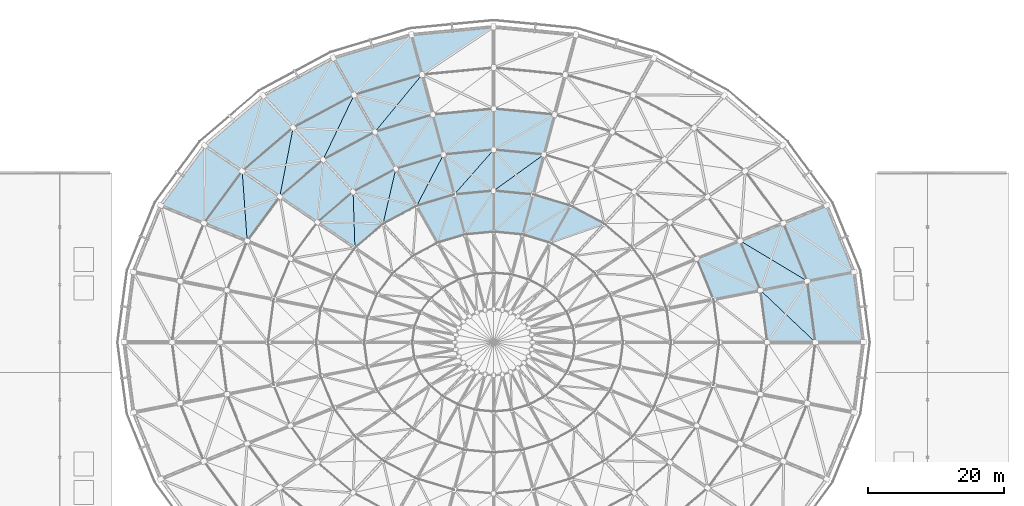
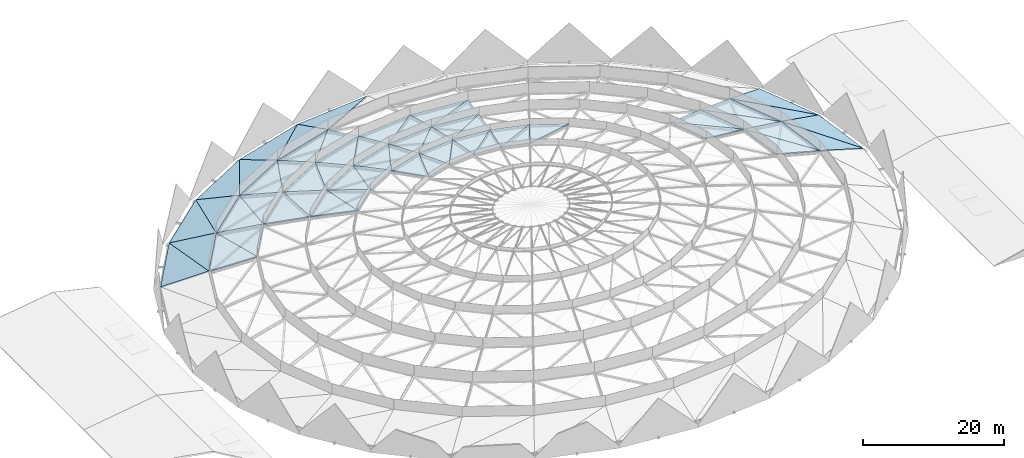
# One storey, part 22 of 27: 56 roofs.
"""IFC4 building model written with IfcOpenShell, lengths in metres."""

from ifc_helpers import new_model, si_unit, direction, frame, origin, place, context, subcontext, project, spatial, polyline, outline, extrude, material, layer, layer_set, type_object, element, save


model = new_model("IFC4")

# Units and contexts
model_context = context("Model", 3, precision=1e-05, world=origin(), true_north=direction((0.0, 1.0)))
body_context = subcontext(model_context, "Body", "Model", "MODEL_VIEW")
ifc_project = project(units=[si_unit("LENGTHUNIT", "METRE"), si_unit("AREAUNIT", "SQUARE_METRE"), si_unit("VOLUMEUNIT", "CUBIC_METRE"), si_unit("PLANEANGLEUNIT", "RADIAN"), si_unit("MASSUNIT", "GRAM", prefix="KILO")], contexts=[model_context])

# Site, building, storey
site_placement = place(None, origin())
site = spatial("IfcSite", under=ifc_project, at=site_placement, CompositionType="ELEMENT")
building_placement = place(site_placement, origin())
building = spatial("IfcBuilding", under=site, at=building_placement, Name="Cuetzalor Civic Arena", CompositionType="ELEMENT")
storey_placement = place(building_placement, frame((0.0, 0.0, 31.800048828125)))
storey = spatial("IfcBuildingStorey", under=building, at=storey_placement, Name="Roof", CompositionType="ELEMENT", Elevation=31.800048828125)

# Roofs
ifc_material = material(Name="Standing-seam acoustic zinc and steel deck", Category="steel")
ifc_layer = layer(ifc_material, 0.179931640625)
ifc_layer_set = layer_set([ifc_layer], Name="Standing-seam acoustic zinc and steel deck")
roof_type = type_object("IfcRoofType", Name="ArenaDomeRoof_StandingSeam", PredefinedType="DOME_ROOF", material=ifc_layer_set)
roof_1_placement = place(storey_placement, frame((54.550048828125, 0.0, 0.4150390625), z_axis=(0.285080765685, 0.037640766696, 0.957764130524), x_axis=(-0.13089937041, 0.99139566008, 0.0)))
element("IfcRoof", 1, at=roof_1_placement, inside=storey, type_object=roof_type, Name="Arena Space-Frame Dome Shell Panel R1-S01A", PredefinedType="DOME_ROOF", context=body_context, shape_type="SweptSolid", body=[
    extrude(outline(polyline([(0.0, 0.0), (10.448299155011798, 2.220446049250313e-16), (10.018221227679604, 7.340647676434287), (0.0, 0.0)])), origin(), (0.0, 0.0, -1.0), 0.179931640625),
])
roof_2_placement = place(storey_placement, frame((54.550048828125, 0.0, 0.4150390625), z_axis=(0.285083508888, 0.037643504072, 0.957763206415), x_axis=(-0.666801092619, 0.72559659004, 0.169958499065)))
element("IfcRoof", 2, at=roof_2_placement, inside=storey, type_object=roof_type, Name="Arena Space-Frame Dome Shell Panel R1-S01B", PredefinedType="DOME_ROOF", context=body_context, shape_type="SweptSolid", body=[
    extrude(outline(polyline([(0.0, 0.0), (12.419736908496503, 1.1102230246251565e-16), (5.087410283256249, 5.372524698891819), (0.0, 0.0)])), origin(), (0.0, 0.0, -1.0), 0.179931640625),
])
roof_3_placement = place(storey_placement, frame((53.182373046875, 10.3583984375, 0.4150390625), z_axis=(0.270382293765, 0.11087015892, 0.956347856734), x_axis=(-0.379392590278, 0.925235787485, 0.0)))
element("IfcRoof", 3, at=roof_3_placement, inside=storey, type_object=roof_type, Name="Arena Space-Frame Dome Shell Panel R1-S02A", PredefinedType="DOME_ROOF", context=body_context, shape_type="SweptSolid", body=[
    extrude(outline(polyline([(0.0, 0.0), (10.63390253661406, 0.0), (10.628573578058255, 7.223196970066199), (0.0, 0.0)])), origin(), (0.0, 0.0, -1.0), 0.179931640625),
])
roof_4_placement = place(storey_placement, frame((53.182373046875, 10.3583984375, 0.4150390625), z_axis=(0.270383939537, 0.110872761722, 0.956347089685), x_axis=(-0.811147041502, 0.561301745858, 0.164258415796)))
element("IfcRoof", 4, at=roof_4_placement, inside=storey, type_object=roof_type, Name="Arena Space-Frame Dome Shell Panel R1-S02B", PredefinedType="DOME_ROOF", context=body_context, shape_type="SweptSolid", body=[
    extrude(outline(polyline([(0.0, 0.0), (12.85072569050369, 9.992007221626409e-16), (5.198952856713812, 5.200092742133137), (0.0, 0.0)])), origin(), (0.0, 0.0, -1.0), 0.179931640625),
])
roof_5_placement = place(storey_placement, frame((0.0, 46.550048828125, 0.4150390625), z_axis=(-0.031655229707, 0.329191877394, 0.94373230012), x_axis=(-0.995408405496, -0.095718891906, 0.0)))
element("IfcRoof", 5, at=roof_5_placement, inside=storey, type_object=roof_type, Name="Arena Space-Frame Dome Shell Panel R1-S08A", PredefinedType="DOME_ROOF", context=body_context, shape_type="SweptSolid", body=[
    extrude(outline(polyline([(0.0, 0.0), (12.194419564224404, -2.220446049250313e-16), (11.188492439758683, 6.382744737674283), (0.0, 0.0)])), origin(), (0.0, 0.0, -1.0), 0.179931640625),
])
roof_6_placement = place(storey_placement, frame((-12.138427734375, 45.3828125, 0.4150390625), z_axis=(-0.093492784167, 0.313125573921, 0.945098658482), x_axis=(-0.95820017042, -0.286098642791, 0.0)))
element("IfcRoof", 6, at=roof_6_placement, inside=storey, type_object=roof_type, Name="Arena Space-Frame Dome Shell Panel R1-S09A", PredefinedType="DOME_ROOF", context=body_context, shape_type="SweptSolid", body=[
    extrude(outline(polyline([(0.0, 0.0), (12.033006936139385, -4.440892098500626e-16), (10.644638831073085, 6.459412026563838), (0.0, 0.0)])), origin(), (0.0, 0.0, -1.0), 0.179931640625),
])
roof_7_placement = place(storey_placement, frame((-12.138427734375, 45.3828125, 0.4150390625), z_axis=(-0.093505868159, 0.313136816778, 0.945093639063), x_axis=(-0.678900518938, -0.714390639643, 0.16952905172)))
element("IfcRoof", 7, at=roof_7_placement, inside=storey, type_object=roof_type, Name="Arena Space-Frame Dome Shell Panel R1-S09B", PredefinedType="DOME_ROOF", context=body_context, shape_type="SweptSolid", body=[
    extrude(outline(polyline([(0.0, 0.0), (12.451198318752557, -3.3306690738754696e-16), (3.501285140193802, 5.430683394666152), (0.0, 0.0)])), origin(), (0.0, 0.0, -1.0), 0.179931640625),
])
roof_8_placement = place(storey_placement, frame((-23.66845703125, 41.940185546875, 0.4150390625), z_axis=(-0.15100952992, 0.281630513077, 0.947565499571), x_axis=(-0.881302704338, -0.472552159371, 0.0)))
element("IfcRoof", 8, at=roof_8_placement, inside=storey, type_object=roof_type, Name="Arena Space-Frame Dome Shell Panel R1-S10A", PredefinedType="DOME_ROOF", context=body_context, shape_type="SweptSolid", body=[
    extrude(outline(polyline([(0.0, 0.0), (11.736055644911866, -8.881784197001252e-16), (10.07499974114683, 6.605423689352449), (0.0, 0.0)])), origin(), (0.0, 0.0, -1.0), 0.179931640625),
])
roof_9_placement = place(storey_placement, frame((-23.66845703125, 41.940185546875, 0.4150390625), z_axis=(-0.151002945209, 0.281627140551, 0.947567551282), x_axis=(-0.491511849507, -0.853063053722, 0.175212808231)))
element("IfcRoof", 9, at=roof_9_placement, inside=storey, type_object=roof_type, Name="Arena Space-Frame Dome Shell Panel R1-S10B", PredefinedType="DOME_ROOF", context=body_context, shape_type="SweptSolid", body=[
    extrude(outline(polyline([(0.0, 0.0), (12.04729189071001, -1.1102230246251565e-16), (3.5087459178262206, 5.59823827719228), (0.0, 0.0)])), origin(), (0.0, 0.0, -1.0), 0.179931640625),
])
roof_10_placement = place(storey_placement, frame((-34.011474609375, 36.394287109375, 0.4150390625), z_axis=(-0.201361554576, 0.235963381118, 0.950670714343), x_axis=(-0.760676878001, -0.649130716632, 0.0)))
element("IfcRoof", 10, at=roof_10_placement, inside=storey, type_object=roof_type, Name="Arena Space-Frame Dome Shell Panel R1-S11A", PredefinedType="DOME_ROOF", context=body_context, shape_type="SweptSolid", body=[
    extrude(outline(polyline([(0.0, 0.0), (11.35495428042528, 0.0), (9.586569074232107, 6.804729847043853), (0.0, 0.0)])), origin(), (0.0, 0.0, -1.0), 0.179931640625),
])
roof_11_placement = place(storey_placement, frame((-34.011474609375, 36.394287109375, 0.4150390625), z_axis=(-0.201357748461, 0.235962517994, 0.950671734742), x_axis=(-0.263098220305, -0.947913668467, 0.179552230859)))
element("IfcRoof", 11, at=roof_11_placement, inside=storey, type_object=roof_type, Name="Arena Space-Frame Dome Shell Panel R1-S11B", PredefinedType="DOME_ROOF", context=body_context, shape_type="SweptSolid", body=[
    extrude(outline(polyline([(0.0, 0.0), (11.756132650930446, 4.440892098500626e-16), (3.7004530520720937, 5.718161946001663), (0.0, 0.0)])), origin(), (0.0, 0.0, -1.0), 0.179931640625),
])
roof_12_placement = place(storey_placement, frame((-42.64892578125, 29.0234375, 0.4150390625), z_axis=(-0.241905873144, 0.17812387539, 0.953809956729), x_axis=(-0.59293459696, -0.805250621687, 0.0)))
element("IfcRoof", 12, at=roof_12_placement, inside=storey, type_object=roof_type, Name="Arena Space-Frame Dome Shell Panel R1-S12A", PredefinedType="DOME_ROOF", context=body_context, shape_type="SweptSolid", body=[
    extrude(outline(polyline([(0.0, 0.0), (10.960776232010911, -8.881784197001252e-16), (9.286650035525414, 7.026514380858676), (0.0, 0.0)])), origin(), (0.0, 0.0, -1.0), 0.179931640625),
])
roof_13_placement = place(storey_placement, frame((-42.64892578125, 29.0234375, 0.4150390625), z_axis=(-0.241915430252, 0.178123531911, 0.953807596943), x_axis=(-0.009413139464, -0.983390050899, 0.181260587547)))
element("IfcRoof", 13, at=roof_13_placement, inside=storey, type_object=roof_type, Name="Arena Space-Frame Dome Shell Panel R1-S12B", PredefinedType="DOME_ROOF", context=body_context, shape_type="SweptSolid", body=[
    extrude(outline(polyline([(0.0, 0.0), (11.645332679951139, 0.0), (4.040702267893905, 5.753630133313173), (0.0, 0.0)])), origin(), (0.0, 0.0, -1.0), 0.179931640625),
])
roof_14_placement = place(storey_placement, frame((47.45849609375, 0.0, 2.52587890625), z_axis=(0.257865203788, 0.034049496187, 0.965580741567), x_axis=(-0.130907488693, 0.991394588146, 0.0)))
element("IfcRoof", 14, at=roof_14_placement, inside=storey, type_object=roof_type, Name="Arena Space-Frame Dome Shell Panel R2-S01A", PredefinedType="DOME_ROOF", context=body_context, shape_type="SweptSolid", body=[
    extrude(outline(polyline([(0.0, 0.0), (9.08994143982291, -2.220446049250313e-16), (8.660131164230757, 7.280943227938003), (0.0, 0.0)])), origin(), (0.0, 0.0, -1.0), 0.179931640625),
])
roof_15_placement = place(storey_placement, frame((47.45849609375, 0.0, 2.52587890625), z_axis=(0.257858815873, 0.034042258553, 0.965582702677), x_axis=(-0.71622836213, 0.677495236376, 0.167383206949)))
element("IfcRoof", 15, at=roof_15_placement, inside=storey, type_object=roof_type, Name="Arena Space-Frame Dome Shell Panel R2-S01B", PredefinedType="DOME_ROOF", context=body_context, shape_type="SweptSolid", body=[
    extrude(outline(polyline([(0.0, 0.0), (11.314150700345873, -3.3306690738754696e-16), (5.39616132106677, 4.975744887235689), (0.0, 0.0)])), origin(), (0.0, 0.0, -1.0), 0.179931640625),
])
roof_16_placement = place(storey_placement, frame((46.2685546875, 9.01171875, 2.52587890625), z_axis=(0.244637059632, 0.100315079614, 0.964411527231), x_axis=(-0.379398237974, 0.925233471629, 0.0)))
element("IfcRoof", 16, at=roof_16_placement, inside=storey, type_object=roof_type, Name="Arena Space-Frame Dome Shell Panel R2-S02A", PredefinedType="DOME_ROOF", context=body_context, shape_type="SweptSolid", body=[
    extrude(outline(polyline([(0.0, 0.0), (9.251518363312615, 4.440892098500626e-16), (9.246364831546035, 7.162471895910765), (0.0, 0.0)])), origin(), (0.0, 0.0, -1.0), 0.179931640625),
])
roof_17_placement = place(storey_placement, frame((46.2685546875, 9.01171875, 2.52587890625), z_axis=(0.244638744517, 0.100318127781, 0.964410782768), x_axis=(-0.846372720577, 0.507381106347, 0.161918593078)))
element("IfcRoof", 17, at=roof_17_placement, inside=storey, type_object=roof_type, Name="Arena Space-Frame Dome Shell Panel R2-S02B", PredefinedType="DOME_ROOF", context=body_context, shape_type="SweptSolid", body=[
    extrude(outline(polyline([(0.0, 0.0), (11.695993598568823, 0.0), (5.474945904859297, 4.818904284204584), (0.0, 0.0)])), origin(), (0.0, 0.0, -1.0), 0.179931640625),
])
roof_18_placement = place(storey_placement, frame((-10.560546875, 39.483154296875, 2.52587890625), z_axis=(-0.084777775286, 0.283907771878, 0.955096385652), x_axis=(-0.95819201033, -0.286125971104, 0.0)))
element("IfcRoof", 18, at=roof_18_placement, inside=storey, type_object=roof_type, Name="Arena Space-Frame Dome Shell Panel R2-S09A", PredefinedType="DOME_ROOF", context=body_context, shape_type="SweptSolid", body=[
    extrude(outline(polyline([(0.0, 0.0), (10.468680338841297, 4.440892098500626e-16), (9.08041649130718, 6.391592925687532), (0.0, 0.0)])), origin(), (0.0, 0.0, -1.0), 0.179931640625),
])
roof_19_placement = place(storey_placement, frame((-10.560546875, 39.483154296875, 2.52587890625), z_axis=(-0.084769059936, 0.283901208112, 0.955099110308), x_axis=(-0.626250633236, -0.760739297872, 0.170545785775)))
element("IfcRoof", 19, at=roof_19_placement, inside=storey, type_object=roof_type, Name="Arena Space-Frame Dome Shell Panel R2-S09B", PredefinedType="DOME_ROOF", context=body_context, shape_type="SweptSolid", body=[
    extrude(outline(polyline([(0.0, 0.0), (11.104342564208936, 3.885780586188048e-16), (3.8229651951640298, 5.125498736648349), (0.0, 0.0)])), origin(), (0.0, 0.0, -1.0), 0.179931640625),
])
roof_20_placement = place(storey_placement, frame((-20.591552734375, 36.48779296875, 2.52587890625), z_axis=(-0.136847439862, 0.255226499898, 0.95714795719), x_axis=(-0.881308929079, -0.472540550139, 0.0)))
element("IfcRoof", 20, at=roof_20_placement, inside=storey, type_object=roof_type, Name="Arena Space-Frame Dome Shell Panel R2-S10A", PredefinedType="DOME_ROOF", context=body_context, shape_type="SweptSolid", body=[
    extrude(outline(polyline([(0.0, 0.0), (10.210143933327815, 0.0), (8.549336110101432, 6.5393750953462515), (0.0, 0.0)])), origin(), (0.0, 0.0, -1.0), 0.179931640625),
])
roof_21_placement = place(storey_placement, frame((-20.591552734375, 36.48779296875, 2.52587890625), z_axis=(-0.136855314861, 0.255229870368, 0.957145932482), x_axis=(-0.425221522415, -0.88782316266, 0.175945129854)))
element("IfcRoof", 21, at=roof_21_placement, inside=storey, type_object=roof_type, Name="Arena Space-Frame Dome Shell Panel R2-S10B", PredefinedType="DOME_ROOF", context=body_context, shape_type="SweptSolid", body=[
    extrude(outline(polyline([(0.0, 0.0), (10.763576290486313, 1.1102230246251565e-16), (3.8653824203605867, 5.2762254863146705), (0.0, 0.0)])), origin(), (0.0, 0.0, -1.0), 0.179931640625),
])
roof_22_placement = place(storey_placement, frame((-29.58984375, 31.6630859375, 2.52587890625), z_axis=(-0.182374954967, 0.21371739564, 0.959720923291), x_axis=(-0.760681764148, -0.649124990809, 0.0)))
element("IfcRoof", 22, at=roof_22_placement, inside=storey, type_object=roof_type, Name="Arena Space-Frame Dome Shell Panel R2-S11A", PredefinedType="DOME_ROOF", context=body_context, shape_type="SweptSolid", body=[
    extrude(outline(polyline([(0.0, 0.0), (9.878833425064123, 8.881784197001252e-16), (8.110743715816882, 6.740575465109467), (0.0, 0.0)])), origin(), (0.0, 0.0, -1.0), 0.179931640625),
])
roof_23_placement = place(storey_placement, frame((-29.58984375, 31.6630859375, 2.52587890625), z_axis=(-0.182370638824, 0.213716740301, 0.959721889409), x_axis=(-0.186843024489, -0.96583791658, 0.179573948825)))
element("IfcRoof", 23, at=roof_23_placement, inside=storey, type_object=roof_type, Name="Arena Space-Frame Dome Shell Panel R2-S11B", PredefinedType="DOME_ROOF", context=body_context, shape_type="SweptSolid", body=[
    extrude(outline(polyline([(0.0, 0.0), (10.546066623367157, -4.440892098500626e-16), (4.083780949914308, 5.370702227497047), (0.0, 0.0)])), origin(), (0.0, 0.0, -1.0), 0.179931640625),
])
roof_24_placement = place(storey_placement, frame((-37.1044921875, 25.25048828125, 2.52587890625), z_axis=(-0.218981097675, 0.161236869012, 0.962314891775), x_axis=(-0.592918666159, -0.805262351858, 0.0)))
element("IfcRoof", 24, at=roof_24_placement, inside=storey, type_object=roof_type, Name="Arena Space-Frame Dome Shell Panel R2-S12A", PredefinedType="DOME_ROOF", context=body_context, shape_type="SweptSolid", body=[
    extrude(outline(polyline([(0.0, 0.0), (9.535966831682835, 0.0), (7.861921382100916, 6.964093771003898), (0.0, 0.0)])), origin(), (0.0, 0.0, -1.0), 0.179931640625),
])
roof_25_placement = place(storey_placement, frame((-37.1044921875, 25.25048828125, 2.52587890625), z_axis=(-0.218977521672, 0.161237261584, 0.962315639735), x_axis=(0.069991692495, -0.981115697483, 0.180314034766)))
element("IfcRoof", 25, at=roof_25_placement, inside=storey, type_object=roof_type, Name="Arena Space-Frame Dome Shell Panel R2-S12B", PredefinedType="DOME_ROOF", context=body_context, shape_type="SweptSolid", body=[
    extrude(outline(polyline([(0.0, 0.0), (10.502781054067103, 5.551115123125783e-17), (4.4314649455924116, 5.378068171450354), (0.0, 0.0)])), origin(), (0.0, 0.0, -1.0), 0.179931640625),
])
roof_26_placement = place(storey_placement, frame((39.35498046875, 7.665283203125, 4.419677734375), z_axis=(0.216419452787, 0.088746344582, 0.972258559632), x_axis=(-0.379405869929, 0.925230342057, 0.0)))
element("IfcRoof", 26, at=roof_26_placement, inside=storey, type_object=roof_type, Name="Arena Space-Frame Dome Shell Panel R3-S02A", PredefinedType="DOME_ROOF", context=body_context, shape_type="SweptSolid", body=[
    extrude(outline(polyline([(0.0, 0.0), (7.869134190476988, 4.440892098500626e-16), (7.863811750831536, 7.104759389476787), (0.0, 0.0)])), origin(), (0.0, 0.0, -1.0), 0.179931640625),
])
roof_27_placement = place(storey_placement, frame((39.35498046875, 7.665283203125, 4.419677734375), z_axis=(0.216416128973, 0.088739152262, 0.972259955967), x_axis=(-0.884579653909, 0.439237486942, 0.156809648797)))
element("IfcRoof", 27, at=roof_27_placement, inside=storey, type_object=roof_type, Name="Arena Space-Frame Dome Shell Panel R3-S02B", PredefinedType="DOME_ROOF", context=body_context, shape_type="SweptSolid", body=[
    extrude(outline(polyline([(0.0, 0.0), (10.597978167314498, -3.885780586188048e-16), (5.78490735362082, 4.348686405617672), (0.0, 0.0)])), origin(), (0.0, 0.0, -1.0), 0.179931640625),
])
roof_28_placement = place(storey_placement, frame((8.982421875, 33.583251953125, 4.419677734375), z_axis=(0.025456998482, 0.264729759228, 0.963986564122), x_axis=(-0.995408235955, 0.095720655001, 0.0)))
element("IfcRoof", 28, at=roof_28_placement, inside=storey, type_object=roof_type, Name="Arena Space-Frame Dome Shell Panel R3-S07A", PredefinedType="DOME_ROOF", context=body_context, shape_type="SweptSolid", body=[
    extrude(outline(polyline([(0.0, 0.0), (9.023857298494606, 0.0), (8.444602446073521, 6.24876608572132), (0.0, 0.0)])), origin(), (0.0, 0.0, -1.0), 0.179931640625),
])
roof_29_placement = place(storey_placement, frame((8.982421875, 33.583251953125, 4.419677734375), z_axis=(0.025453188251, 0.264735852692, 0.963984991329), x_axis=(-0.855048549129, -0.493828186031, 0.158195136821)))
element("IfcRoof", 29, at=roof_29_placement, inside=storey, type_object=roof_type, Name="Arena Space-Frame Dome Shell Panel R3-S07B", PredefinedType="DOME_ROOF", context=body_context, shape_type="SweptSolid", body=[
    extrude(outline(polyline([(0.0, 0.0), (10.505160068570673, 1.1657341758564144e-15), (4.5254812462879865, 4.424645801281962), (0.0, 0.0)])), origin(), (0.0, 0.0, -1.0), 0.179931640625),
])
roof_30_placement = place(storey_placement, frame((0.0, 34.447021484375, 4.419677734375), z_axis=(-0.025457479161, 0.264734757854, 0.963985178692), x_axis=(-0.995408235955, -0.095720655001, 0.0)))
element("IfcRoof", 30, at=roof_30_placement, inside=storey, type_object=roof_type, Name="Arena Space-Frame Dome Shell Panel R3-S08A", PredefinedType="DOME_ROOF", context=body_context, shape_type="SweptSolid", body=[
    extrude(outline(polyline([(0.0, 0.0), (9.023857298494606, 0.0), (8.017940843204515, 6.248648098771684), (0.0, 0.0)])), origin(), (0.0, 0.0, -1.0), 0.179931640625),
])
roof_31_placement = place(storey_placement, frame((0.0, 34.447021484375, 4.419677734375), z_axis=(-0.025452605239, 0.264729788851, 0.963986671994), x_axis=(-0.728414645923, -0.66534573959, 0.163484404194)))
element("IfcRoof", 31, at=roof_31_placement, inside=storey, type_object=roof_type, Name="Arena Space-Frame Dome Shell Panel R3-S08B", PredefinedType="DOME_ROOF", context=body_context, shape_type="SweptSolid", body=[
    extrude(outline(polyline([(0.0, 0.0), (10.165282997900754, -1.6653345369377348e-16), (4.29803788734222, 4.5726889350889754), (0.0, 0.0)])), origin(), (0.0, 0.0, -1.0), 0.179931640625),
])
roof_32_placement = place(storey_placement, frame((-8.982421875, 33.583251953125, 4.419677734375), z_axis=(-0.075152347733, 0.251693746868, 0.964884647208), x_axis=(-0.958198261041, -0.286105037598, 0.0)))
element("IfcRoof", 32, at=roof_32_placement, inside=storey, type_object=roof_type, Name="Arena Space-Frame Dome Shell Panel R3-S09A", PredefinedType="DOME_ROOF", context=body_context, shape_type="SweptSolid", body=[
    extrude(outline(polyline([(0.0, 0.0), (8.904447972211592, -4.440892098500626e-16), (7.516050759255841, 6.32672204802317), (0.0, 0.0)])), origin(), (0.0, 0.0, -1.0), 0.179931640625),
])
roof_33_placement = place(storey_placement, frame((-8.982421875, 33.583251953125, 4.419677734375), z_axis=(-0.075155803354, 0.251695929207, 0.964883808779), x_axis=(-0.555284159458, -0.814275947772, 0.169157273369)))
element("IfcRoof", 33, at=roof_33_placement, inside=storey, type_object=roof_type, Name="Arena Space-Frame Dome Shell Panel R3-S09B", PredefinedType="DOME_ROOF", context=body_context, shape_type="SweptSolid", body=[
    extrude(outline(polyline([(0.0, 0.0), (9.82437941493776, -1.887379141862766e-15), (4.208894119913557, 4.72680455113848), (0.0, 0.0)])), origin(), (0.0, 0.0, -1.0), 0.179931640625),
])
roof_34_placement = place(storey_placement, frame((-17.5146484375, 31.03564453125, 4.419677734375), z_axis=(-0.121268103981, 0.226160324794, 0.966512056027), x_axis=(-0.88130020339, -0.472556823572, 0.0)))
element("IfcRoof", 34, at=roof_34_placement, inside=storey, type_object=roof_type, Name="Arena Space-Frame Dome Shell Panel R3-S10A", PredefinedType="DOME_ROOF", context=body_context, shape_type="SweptSolid", body=[
    extrude(outline(polyline([(0.0, 0.0), (8.68467812024583, 0.0), (7.023655342024928, 6.475946523311035), (0.0, 0.0)])), origin(), (0.0, 0.0, -1.0), 0.179931640625),
])
roof_35_placement = place(storey_placement, frame((-17.5146484375, 31.03564453125, 4.419677734375), z_axis=(-0.12127248328, 0.226161760332, 0.966511170635), x_axis=(-0.338323463708, -0.924812132951, 0.173953305949)))
element("IfcRoof", 35, at=roof_35_placement, inside=storey, type_object=roof_type, Name="Arena Space-Frame Dome Shell Panel R3-S10B", PredefinedType="DOME_ROOF", context=body_context, shape_type="SweptSolid", body=[
    extrude(outline(polyline([(0.0, 0.0), (9.553513371338294, 1.1102230246251565e-16), (4.290311057994754, 4.852658005622666), (0.0, 0.0)])), origin(), (0.0, 0.0, -1.0), 0.179931640625),
])
roof_36_placement = place(storey_placement, frame((-25.16845703125, 26.931640625, 4.419677734375), z_axis=(-0.161511103138, 0.189271840619, 0.968550635698), x_axis=(-0.760688366944, -0.649117253195, 0.0)))
element("IfcRoof", 36, at=roof_36_placement, inside=storey, type_object=roof_type, Name="Arena Space-Frame Dome Shell Panel R3-S11A", PredefinedType="DOME_ROOF", context=body_context, shape_type="SweptSolid", body=[
    extrude(outline(polyline([(0.0, 0.0), (8.402712570459357, 8.881784197001252e-16), (6.634212867718413, 6.67907886923034), (0.0, 0.0)])), origin(), (0.0, 0.0, -1.0), 0.179931640625),
])
roof_37_placement = place(storey_placement, frame((-25.16845703125, 26.931640625, 4.419677734375), z_axis=(-0.161506103207, 0.189271542105, 0.968551527786), x_axis=(-0.090016422422, -0.980170177304, 0.176531773962)))
element("IfcRoof", 37, at=roof_37_placement, inside=storey, type_object=roof_type, Name="Arena Space-Frame Dome Shell Panel R3-S11B", PredefinedType="DOME_ROOF", context=body_context, shape_type="SweptSolid", body=[
    extrude(outline(polyline([(0.0, 0.0), (9.413972323923618, 0.0), (4.532734918178539, 4.914386452455479), (0.0, 0.0)])), origin(), (0.0, 0.0, -1.0), 0.179931640625),
])
roof_38_placement = place(storey_placement, frame((7.404541015625, 27.68359375, 6.08154296875), z_axis=(0.021825329087, 0.227002882674, 0.973649498674), x_axis=(-0.995409810791, 0.095704276708, 0.0)))
element("IfcRoof", 38, at=roof_38_placement, inside=storey, type_object=roof_type, Name="Arena Space-Frame Dome Shell Panel R4-S07A", PredefinedType="DOME_ROOF", context=body_context, shape_type="SweptSolid", body=[
    extrude(outline(polyline([(0.0, 0.0), (7.438685991790361, -1.1102230246251565e-16), (6.859530252836804, 6.186760315007557), (0.0, 0.0)])), origin(), (0.0, 0.0, -1.0), 0.179931640625),
])
roof_39_placement = place(storey_placement, frame((7.404541015625, 27.68359375, 6.08154296875), z_axis=(0.021829427111, 0.226997506755, 0.973650660165), x_axis=(-0.801584686468, -0.578042753726, 0.152736915266)))
element("IfcRoof", 39, at=roof_39_placement, inside=storey, type_object=roof_type, Name="Arena Space-Frame Dome Shell Panel R4-S07B", PredefinedType="DOME_ROOF", context=body_context, shape_type="SweptSolid", body=[
    extrude(outline(polyline([(0.0, 0.0), (9.237378333972025, -8.326672684688674e-17), (4.890891414352174, 3.920346183547206), (0.0, 0.0)])), origin(), (0.0, 0.0, -1.0), 0.179931640625),
])
roof_40_placement = place(storey_placement, frame((0.0, 28.3955078125, 6.08154296875), z_axis=(-0.021824924104, 0.226998670493, 0.973650489797), x_axis=(-0.995409810791, -0.095704276708, 0.0)))
element("IfcRoof", 40, at=roof_40_placement, inside=storey, type_object=roof_type, Name="Arena Space-Frame Dome Shell Panel R4-S08A", PredefinedType="DOME_ROOF", context=body_context, shape_type="SweptSolid", body=[
    extrude(outline(polyline([(0.0, 0.0), (7.438685991790361, 0.0), (6.432450770589776, 6.186875116361438), (0.0, 0.0)])), origin(), (0.0, 0.0, -1.0), 0.179931640625),
])
roof_41_placement = place(storey_placement, frame((0.0, 28.3955078125, 6.08154296875), z_axis=(-0.021829941892, 0.227002859807, 0.973649400594), x_axis=(-0.652827009134, -0.740828035255, 0.15808452905)))
element("IfcRoof", 41, at=roof_41_placement, inside=storey, type_object=roof_type, Name="Arena Space-Frame Dome Shell Panel R4-S08B", PredefinedType="DOME_ROOF", context=body_context, shape_type="SweptSolid", body=[
    extrude(outline(polyline([(0.0, 0.0), (8.92490037039705, -3.0531133177191805e-16), (4.706170655091126, 4.057509375278684), (0.0, 0.0)])), origin(), (0.0, 0.0, -1.0), 0.179931640625),
])
roof_42_placement = place(storey_placement, frame((-7.404541015625, 27.68359375, 6.08154296875), z_axis=(-0.064426140685, 0.215762411168, 0.974318148411), x_axis=(-0.958195334565, -0.286114838515, 0.0)))
element("IfcRoof", 42, at=roof_42_placement, inside=storey, type_object=roof_type, Name="Arena Space-Frame Dome Shell Panel R4-S09A", PredefinedType="DOME_ROOF", context=body_context, shape_type="SweptSolid", body=[
    extrude(outline(polyline([(0.0, 0.0), (7.340051523204487, -2.220446049250313e-16), (5.951786603044459, 6.265720408221124), (0.0, 0.0)])), origin(), (0.0, 0.0, -1.0), 0.179931640625),
])
roof_43_placement = place(storey_placement, frame((-7.404541015625, 27.68359375, 6.08154296875), z_axis=(-0.064427152767, 0.21576290827, 0.974317971404), x_axis=(-0.457802503511, -0.873935232712, 0.163260763208)))
element("IfcRoof", 43, at=roof_43_placement, inside=storey, type_object=roof_type, Name="Arena Space-Frame Dome Shell Panel R4-S09B", PredefinedType="DOME_ROOF", context=body_context, shape_type="SweptSolid", body=[
    extrude(outline(polyline([(0.0, 0.0), (8.641933580060554, -4.163336342344337e-16), (4.664005713284604, 4.187718201155079), (0.0, 0.0)])), origin(), (0.0, 0.0, -1.0), 0.179931640625),
])
roof_44_placement = place(storey_placement, frame((-14.437744140625, 25.58349609375, 6.08154296875), z_axis=(-0.103917834295, 0.19379697437, 0.975522330057), x_axis=(-0.881294345533, -0.472567748086, 0.0)))
element("IfcRoof", 44, at=roof_44_placement, inside=storey, type_object=roof_type, Name="Arena Space-Frame Dome Shell Panel R4-S10A", PredefinedType="DOME_ROOF", context=body_context, shape_type="SweptSolid", body=[
    extrude(outline(polyline([(0.0, 0.0), (7.158881777953771, 0.0), (5.498151746841739, 6.416035197353433), (0.0, 0.0)])), origin(), (0.0, 0.0, -1.0), 0.179931640625),
])
roof_45_placement = place(storey_placement, frame((-14.437744140625, 25.58349609375, 6.08154296875), z_axis=(-0.10390672996, 0.19379467612, 0.975523969453), x_axis=(-0.22340734639, -0.960316420671, 0.166977632539)))
element("IfcRoof", 45, at=roof_45_placement, inside=storey, type_object=roof_type, Name="Arena Space-Frame Dome Shell Panel R4-S10B", PredefinedType="DOME_ROOF", context=body_context, shape_type="SweptSolid", body=[
    extrude(outline(polyline([(0.0, 0.0), (8.449566869667164, 2.7755575615628914e-17), (4.7842059508623445, 4.277605070863715), (0.0, 0.0)])), origin(), (0.0, 0.0, -1.0), 0.179931640625),
])
roof_46_placement = place(storey_placement, frame((-20.746826171875, 22.200439453125, 6.08154296875), z_axis=(-0.13831851233, 0.162097639721, 0.977032417243), x_axis=(-0.760697783839, -0.649106217551, 0.0)))
element("IfcRoof", 46, at=roof_46_placement, inside=storey, type_object=roof_type, Name="Arena Space-Frame Dome Shell Panel R4-S11A", PredefinedType="DOME_ROOF", context=body_context, shape_type="SweptSolid", body=[
    extrude(outline(polyline([(0.0, 0.0), (6.926591717094554, 0.0), (5.157998166080546, 6.621070410326915), (0.0, 0.0)])), origin(), (0.0, 0.0, -1.0), 0.179931640625),
])
roof_47_placement = place(storey_placement, frame((-20.746826171875, 22.200439453125, 6.08154296875), z_axis=(-0.138320306468, 0.162097539469, 0.977032179878), x_axis=(0.032811692426, -0.985223424164, 0.168101746922)))
element("IfcRoof", 47, at=roof_47_placement, inside=storey, type_object=roof_type, Name="Arena Space-Frame Dome Shell Panel R4-S11B", PredefinedType="DOME_ROOF", context=body_context, shape_type="SweptSolid", body=[
    extrude(outline(polyline([(0.0, 0.0), (8.393063711172273, -1.3877787807814457e-16), (5.043536250529759, 4.299566719973966), (0.0, 0.0)])), origin(), (0.0, 0.0, -1.0), 0.179931640625),
])
roof_48_placement = place(storey_placement, frame((16.325439453125, 17.46923828125, 7.492431640625), z_axis=(0.084156335353, 0.156958550803, 0.984013071331), x_axis=(-0.881313042066, 0.472532879157, 0.0)))
element("IfcRoof", 48, at=roof_48_placement, inside=storey, type_object=roof_type, Name="Arena Space-Frame Dome Shell Panel R5-S05A", PredefinedType="DOME_ROOF", context=body_context, shape_type="SweptSolid", body=[
    extrude(outline(polyline([(0.0, 0.0), (5.6331852275050105, 0.0), (5.768581714769903, 6.3606756392740325), (0.0, 0.0)])), origin(), (0.0, 0.0, -1.0), 0.179931640625),
])
roof_49_placement = place(storey_placement, frame((11.36083984375, 20.131103515625, 7.492431640625), z_axis=(0.05220393127, 0.174828027474, 0.983214071487), x_axis=(-0.958194283061, 0.286118359965, 0.0)))
element("IfcRoof", 49, at=roof_49_placement, inside=storey, type_object=roof_type, Name="Arena Space-Frame Dome Shell Panel R5-S06A", PredefinedType="DOME_ROOF", context=body_context, shape_type="SweptSolid", body=[
    extrude(outline(polyline([(0.0, 0.0), (5.77588900911004, 2.220446049250313e-16), (5.599804898484068, 6.208698210271088), (0.0, 0.0)])), origin(), (0.0, 0.0, -1.0), 0.179931640625),
])
roof_50_placement = place(storey_placement, frame((11.36083984375, 20.131103515625, 7.492431640625), z_axis=(0.0522068864, 0.174823262824, 0.983214761783), x_axis=(-0.850655880594, -0.507964084128, 0.135488235822)))
element("IfcRoof", 50, at=roof_50_placement, inside=storey, type_object=roof_type, Name="Arena Space-Frame Dome Shell Panel R5-S06B", PredefinedType="DOME_ROOF", context=body_context, shape_type="SweptSolid", body=[
    extrude(outline(polyline([(0.0, 0.0), (8.360965755659425, -3.3306690738754696e-16), (5.540365088889813, 3.127440083939059), (0.0, 0.0)])), origin(), (0.0, 0.0, -1.0), 0.179931640625),
])
roof_51_placement = place(storey_placement, frame((5.826416015625, 21.78369140625, 7.492431640625), z_axis=(0.017691649083, 0.18397002412, 0.982772626694), x_axis=(-0.995407882731, 0.095724328132, 0.0)))
element("IfcRoof", 51, at=roof_51_placement, inside=storey, type_object=roof_type, Name="Arena Space-Frame Dome Shell Panel R5-S07A", PredefinedType="DOME_ROOF", context=body_context, shape_type="SweptSolid", body=[
    extrude(outline(polyline([(0.0, 0.0), (5.853295032823786, 0.0), (5.274017952402383, 6.129316433758724), (0.0, 0.0)])), origin(), (0.0, 0.0, -1.0), 0.179931640625),
])
roof_52_placement = place(storey_placement, frame((5.826416015625, 21.78369140625, 7.492431640625), z_axis=(0.017687034002, 0.183974755349, 0.982771824089), x_axis=(-0.720553879521, -0.679099009352, 0.140095118415)))
element("IfcRoof", 52, at=roof_52_placement, inside=storey, type_object=roof_type, Name="Arena Space-Frame Dome Shell Panel R5-S07B", PredefinedType="DOME_ROOF", context=body_context, shape_type="SweptSolid", body=[
    extrude(outline(polyline([(0.0, 0.0), (8.08602407289314, 5.273559366969494e-16), (5.302101717233542, 3.235221238238192), (0.0, 0.0)])), origin(), (0.0, 0.0, -1.0), 0.179931640625),
])
roof_53_placement = place(storey_placement, frame((0.0, 22.343994140625, 7.492431640625), z_axis=(-0.01769197969, 0.183973462006, 0.982771977181), x_axis=(-0.995407882731, -0.095724328132, 0.0)))
element("IfcRoof", 53, at=roof_53_placement, inside=storey, type_object=roof_type, Name="Arena Space-Frame Dome Shell Panel R5-S08A", PredefinedType="DOME_ROOF", context=body_context, shape_type="SweptSolid", body=[
    extrude(outline(polyline([(0.0, 0.0), (5.853295032823786, 0.0), (4.847400805093158, 6.1292018960755845), (0.0, 0.0)])), origin(), (0.0, 0.0, -1.0), 0.179931640625),
])
roof_54_placement = place(storey_placement, frame((0.0, 22.343994140625, 7.492431640625), z_axis=(-0.017686580735, 0.183970040619, 0.982772714831), x_axis=(-0.543682221952, -0.826676910289, 0.14496526318)))
element("IfcRoof", 54, at=roof_54_placement, inside=storey, type_object=roof_type, Name="Arena Space-Frame Dome Shell Panel R5-S08B", PredefinedType="DOME_ROOF", context=body_context, shape_type="SweptSolid", body=[
    extrude(outline(polyline([(0.0, 0.0), (7.814372044385547, 4.996003610813204e-16), (5.166865087032178, 3.3477734471517433), (0.0, 0.0)])), origin(), (0.0, 0.0, -1.0), 0.179931640625),
])
roof_55_placement = place(storey_placement, frame((-5.826416015625, 21.78369140625, 7.492431640625), z_axis=(-0.052203130796, 0.174825346731, 0.983214590654), x_axis=(-0.958194283061, -0.286118359965, 0.0)))
element("IfcRoof", 55, at=roof_55_placement, inside=storey, type_object=roof_type, Name="Arena Space-Frame Dome Shell Panel R5-S09A", PredefinedType="DOME_ROOF", context=body_context, shape_type="SweptSolid", body=[
    extrude(outline(polyline([(0.0, 0.0), (5.77588900911004, -2.220446049250313e-16), (4.387576671539997, 6.208793413391091), (0.0, 0.0)])), origin(), (0.0, 0.0, -1.0), 0.179931640625),
])
roof_56_placement = place(storey_placement, frame((-5.826416015625, 21.78369140625, 7.492431640625), z_axis=(-0.052207984296, 0.17482693931, 0.983214049771), x_axis=(-0.323246079807, -0.934510646579, 0.149002762796)))
element("IfcRoof", 56, at=roof_56_placement, inside=storey, type_object=roof_type, Name="Arena Space-Frame Dome Shell Panel R5-S09B", PredefinedType="DOME_ROOF", context=body_context, shape_type="SweptSolid", body=[
    extrude(outline(polyline([(0.0, 0.0), (7.602627486521392, -2.7755575615628914e-17), (5.172041792029325, 3.439320104575966), (0.0, 0.0)])), origin(), (0.0, 0.0, -1.0), 0.179931640625),
])

save(model, "model.ifc")
